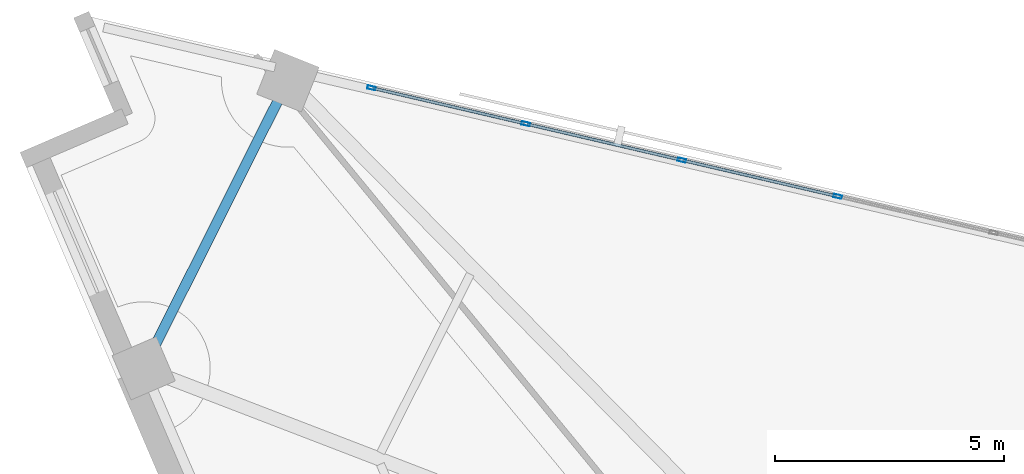
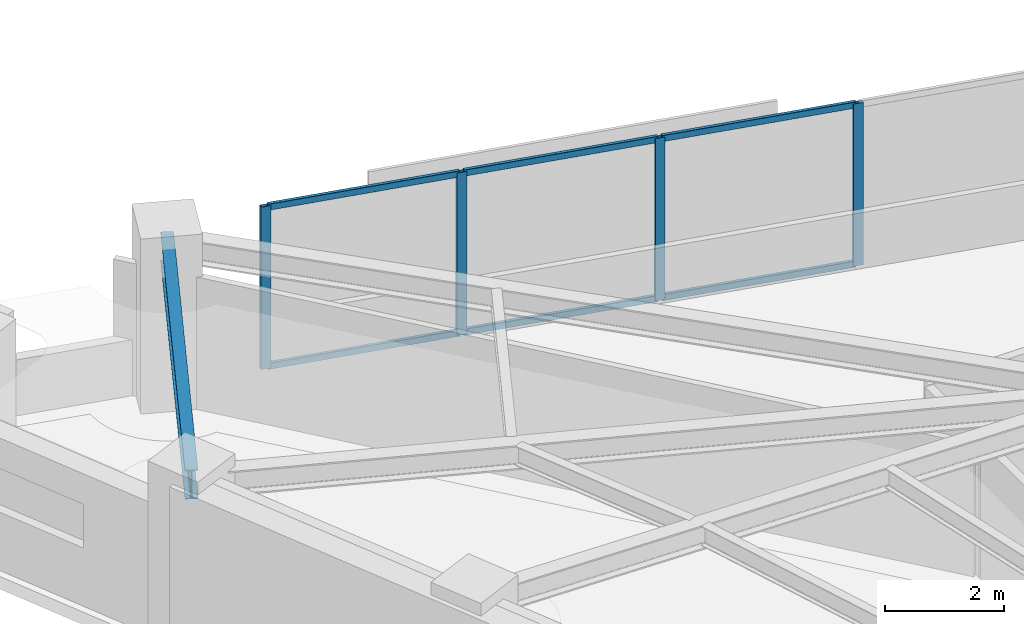
# One storey, part 6 of 14: 10 members, 1 beam, 1 element without a shape of its own.
"""IFC4 building model written with IfcOpenShell, lengths in metres."""

from ifc_helpers import new_model, si_unit, direction, frame, origin, origin_2d, place, context, subcontext, project, spatial, hollow_rectangle, i_section, extrude, material, material_profile, profile_set, type_object, element, aggregate, save


model = new_model("IFC4")

# Units and contexts
model_context = context("Model", 3, precision=1e-05, world=origin(), true_north=direction((0.0, 1.0)))
body_context = subcontext(model_context, "Body", "Model", "MODEL_VIEW")
ifc_project = project(units=[si_unit("LENGTHUNIT", "METRE"), si_unit("AREAUNIT", "SQUARE_METRE"), si_unit("VOLUMEUNIT", "CUBIC_METRE"), si_unit("PLANEANGLEUNIT", "RADIAN"), si_unit("MASSUNIT", "GRAM", prefix="KILO")], contexts=[model_context])

# Site, building, storey
site_placement = place(None, origin())
site = spatial("IfcSite", under=ifc_project, at=site_placement, CompositionType="ELEMENT")
building_placement = place(site_placement, origin())
building = spatial("IfcBuilding", under=site, at=building_placement, Name="Narakoshi Arena Tower", CompositionType="ELEMENT")
storey_placement = place(building_placement, frame((0.0, 0.0, 168.300048828125)))
storey = spatial("IfcBuildingStorey", under=building, at=storey_placement, Name="L45", CompositionType="ELEMENT", Elevation=168.300048828125)

# Beam
ifc_material_1 = material(Name="Structural steel S355J2", Category="steel")
ifc_material_profile_1 = material_profile(ifc_material_1, i_section(OverallWidth=0.219970703125, OverallDepth=0.60009765625, WebThickness=0.011962890625, FlangeThickness=0.01904296875, FilletRadius=0.02392578125, at=origin_2d()), Name="IPE600")
ifc_profile_set_1 = profile_set([ifc_material_profile_1], Name="Structural steel S355J2")
beam_type = type_object("IfcBeamType", Name="BM-EDGE-600", PredefinedType="BEAM", material=ifc_profile_set_1)
beam_placement = place(storey_placement, frame((60.12158203125, 68.55126953125, 3.0400390625), z_axis=(-0.448312643015, -0.893876822674, 0.0), x_axis=(0.893876822674, -0.448312643015, 0.0)))
element("IfcBeam", 1, at=beam_placement, inside=storey, type_object=beam_type, Name="L45 Perimeter Edge Girder 07", PredefinedType="BEAM", context=body_context, shape_type="SweptSolid", body=[
    extrude(i_section(OverallWidth=0.219970703125, OverallDepth=0.60009765625, WebThickness=0.011962890625, FlangeThickness=0.01904296875, FilletRadius=0.02392578125, at=origin_2d()), origin(), (0.0, 0.0, 1.0), 7.017333984375),
])

# Curtain wall, members
ifc_material_2 = material(Name="Anodised bronze aluminium 6063-T6", Category="aluminium")
curtain_wall_type = type_object("IfcCurtainWallType", Name="CW-HYP-MID", PredefinedType="NOTDEFINED", material=ifc_material_2)
curtain_wall_placement = place(storey_placement, origin())
curtain_wall = element("IfcCurtainWall", 2, at=curtain_wall_placement, inside=storey, type_object=curtain_wall_type, Name="L45 Folded Hypotenuse Curtain Wall 2-1", PredefinedType="NOTDEFINED")
ifc_material_profile_2 = material_profile(ifc_material_2, hollow_rectangle(XDim=0.074951171875, YDim=0.179931640625, WallThickness=0.00390625, OuterFilletRadius=0.0048828125, at=origin_2d()), Name="MUL180x75x4")
ifc_profile_set_2 = profile_set([ifc_material_profile_2], Name="Anodised bronze aluminium 6063-T6")
member_type_1 = type_object("IfcMemberType", Name="MEM-MUL-180", PredefinedType="MULLION", material=ifc_profile_set_2)
member_1_placement = place(storey_placement, frame((72.109619140625, 66.027587890625, 0.0), z_axis=(0.0, 0.0, 1.0), x_axis=(-0.226721182724, -0.973959704148, 0.0)))
member_1 = element("IfcMember", 3, at=member_1_placement, type_object=member_type_1, Name="CW-02 mullion 5", PredefinedType="MULLION", context=body_context, shape_type="SweptSolid", body=[
    extrude(hollow_rectangle(XDim=0.074951171875, YDim=0.179931640625, WallThickness=0.00390625, OuterFilletRadius=0.0048828125, at=origin_2d()), origin(), (0.0, 0.0, 1.0), 3.33984375),
])
member_2_placement = place(storey_placement, frame((68.708740234375, 66.8193359375, 0.0), z_axis=(0.0, 0.0, 1.0), x_axis=(-0.226721182724, -0.973959704148, 0.0)))
member_2 = element("IfcMember", 4, at=member_2_placement, type_object=member_type_1, Name="CW-02 mullion 6", PredefinedType="MULLION", context=body_context, shape_type="SweptSolid", body=[
    extrude(hollow_rectangle(XDim=0.074951171875, YDim=0.179931640625, WallThickness=0.00390625, OuterFilletRadius=0.0048828125, at=origin_2d()), origin(), (0.0, 0.0, 1.0), 3.33984375),
])
member_3_placement = place(storey_placement, frame((65.307861328125, 67.611083984375, 0.0), z_axis=(0.0, 0.0, 1.0), x_axis=(-0.226721182724, -0.973959704148, 0.0)))
member_3 = element("IfcMember", 5, at=member_3_placement, type_object=member_type_1, Name="CW-02 mullion 7", PredefinedType="MULLION", context=body_context, shape_type="SweptSolid", body=[
    extrude(hollow_rectangle(XDim=0.074951171875, YDim=0.179931640625, WallThickness=0.00390625, OuterFilletRadius=0.0048828125, at=origin_2d()), origin(), (0.0, 0.0, 1.0), 3.33984375),
])
member_4_placement = place(storey_placement, frame((61.943359375, 68.394287109375, 0.0), z_axis=(0.0, 0.0, 1.0), x_axis=(-0.226721182724, -0.973959704148, 0.0)))
member_4 = element("IfcMember", 6, at=member_4_placement, type_object=member_type_1, Name="CW-02 mullion 8", PredefinedType="MULLION", context=body_context, shape_type="SweptSolid", body=[
    extrude(hollow_rectangle(XDim=0.074951171875, YDim=0.179931640625, WallThickness=0.00390625, OuterFilletRadius=0.0048828125, at=origin_2d()), origin(), (0.0, 0.0, 1.0), 3.33984375),
])
ifc_material_profile_3 = material_profile(ifc_material_2, hollow_rectangle(XDim=0.06494140625, YDim=0.1298828125, WallThickness=0.00390625, OuterFilletRadius=0.0048828125, at=origin_2d()), Name="TRN130x65x4")
ifc_profile_set_3 = profile_set([ifc_material_profile_3], Name="Anodised bronze aluminium 6063-T6")
member_type_2 = type_object("IfcMemberType", Name="MEM-TRN-130", PredefinedType="USERDEFINED", material=ifc_profile_set_3)
member_5_placement = place(storey_placement, frame((72.072998046875, 66.0361328125, 0.032470703125), z_axis=(-0.973960713384, 0.226716847155, 0.0), x_axis=(-0.226716847155, -0.973960713384, 0.0)))
member_5 = element("IfcMember", 7, at=member_5_placement, type_object=member_type_2, Name="CW-02 transom 5.1", ObjectType="TRANSOM", PredefinedType="USERDEFINED", context=body_context, shape_type="SweptSolid", body=[
    extrude(hollow_rectangle(XDim=0.06494140625, YDim=0.1298828125, WallThickness=0.00390625, OuterFilletRadius=0.0048828125, at=origin_2d()), origin(), (0.0, 0.0, 1.0), 3.416748046875),
])
member_6_placement = place(storey_placement, frame((72.072998046875, 66.0361328125, 3.307373046875), z_axis=(-0.973960713384, 0.226716847155, 0.0), x_axis=(-0.226716847155, -0.973960713384, 0.0)))
member_6 = element("IfcMember", 8, at=member_6_placement, type_object=member_type_2, Name="CW-02 transom 5.2", ObjectType="TRANSOM", PredefinedType="USERDEFINED", context=body_context, shape_type="SweptSolid", body=[
    extrude(hollow_rectangle(XDim=0.06494140625, YDim=0.1298828125, WallThickness=0.00390625, OuterFilletRadius=0.0048828125, at=origin_2d()), origin(), (0.0, 0.0, 1.0), 3.416748046875),
])
member_7_placement = place(storey_placement, frame((68.672119140625, 66.827880859375, 0.032470703125), z_axis=(-0.973960713384, 0.226716847155, 0.0), x_axis=(-0.226716847155, -0.973960713384, 0.0)))
member_7 = element("IfcMember", 9, at=member_7_placement, type_object=member_type_2, Name="CW-02 transom 6.1", ObjectType="TRANSOM", PredefinedType="USERDEFINED", context=body_context, shape_type="SweptSolid", body=[
    extrude(hollow_rectangle(XDim=0.06494140625, YDim=0.1298828125, WallThickness=0.00390625, OuterFilletRadius=0.0048828125, at=origin_2d()), origin(), (0.0, 0.0, 1.0), 3.416748046875),
])
member_8_placement = place(storey_placement, frame((68.672119140625, 66.827880859375, 3.307373046875), z_axis=(-0.973960713384, 0.226716847155, 0.0), x_axis=(-0.226716847155, -0.973960713384, 0.0)))
member_8 = element("IfcMember", 10, at=member_8_placement, type_object=member_type_2, Name="CW-02 transom 6.2", ObjectType="TRANSOM", PredefinedType="USERDEFINED", context=body_context, shape_type="SweptSolid", body=[
    extrude(hollow_rectangle(XDim=0.06494140625, YDim=0.1298828125, WallThickness=0.00390625, OuterFilletRadius=0.0048828125, at=origin_2d()), origin(), (0.0, 0.0, 1.0), 3.416748046875),
])
member_9_placement = place(storey_placement, frame((65.271240234375, 67.61962890625, 0.032470703125), z_axis=(-0.97396204172, 0.226711140636, 0.0), x_axis=(-0.226711140636, -0.97396204172, 0.0)))
member_9 = element("IfcMember", 11, at=member_9_placement, type_object=member_type_2, Name="CW-02 transom 7.1", ObjectType="TRANSOM", PredefinedType="USERDEFINED", context=body_context, shape_type="SweptSolid", body=[
    extrude(hollow_rectangle(XDim=0.06494140625, YDim=0.1298828125, WallThickness=0.00390625, OuterFilletRadius=0.0048828125, at=origin_2d()), origin(), (0.0, 0.0, 1.0), 3.379150390625),
])
member_10_placement = place(storey_placement, frame((65.271240234375, 67.61962890625, 3.307373046875), z_axis=(-0.97396204172, 0.226711140636, 0.0), x_axis=(-0.226711140636, -0.97396204172, 0.0)))
member_10 = element("IfcMember", 12, at=member_10_placement, type_object=member_type_2, Name="CW-02 transom 7.2", ObjectType="TRANSOM", PredefinedType="USERDEFINED", context=body_context, shape_type="SweptSolid", body=[
    extrude(hollow_rectangle(XDim=0.06494140625, YDim=0.1298828125, WallThickness=0.00390625, OuterFilletRadius=0.0048828125, at=origin_2d()), origin(), (0.0, 0.0, 1.0), 3.379150390625),
])
aggregate(curtain_wall, [member_1, member_2, member_3, member_4, member_5, member_6, member_7, member_8, member_9, member_10])

save(model, "model.ifc")
